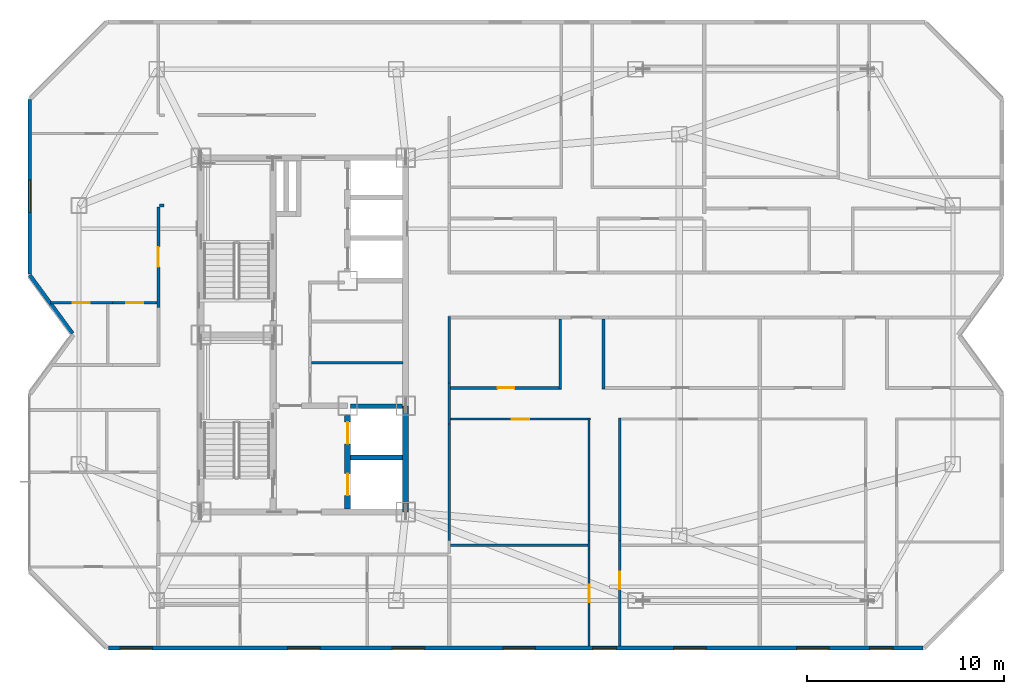
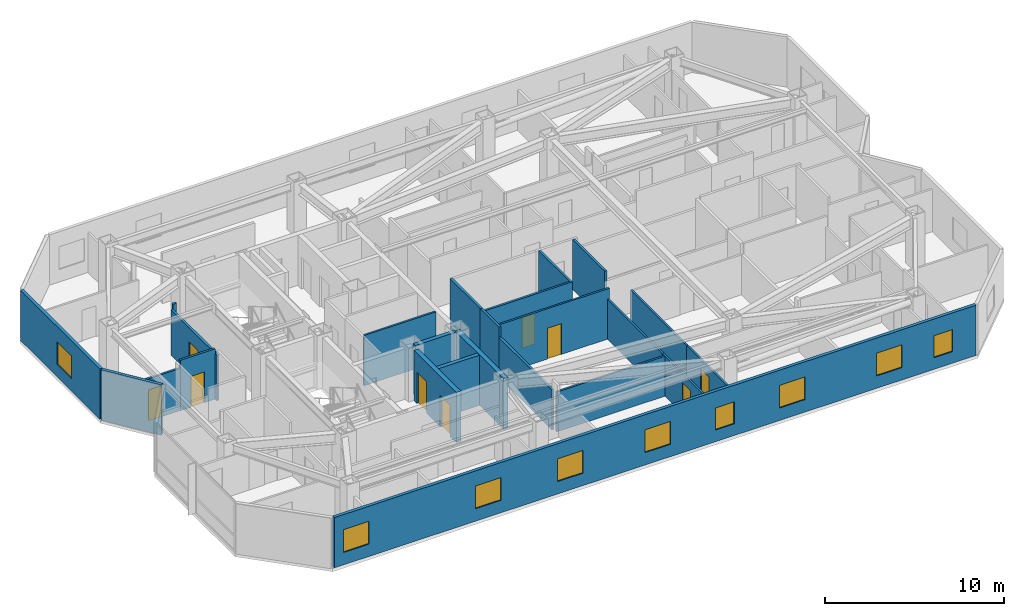
# One storey, part 9 of 14: 24 walls, 9 doors, 9 windows, 18 openings.
"""IFC4 building model written with IfcOpenShell, lengths in metres."""

from ifc_helpers import new_model, si_unit, direction, frame, frame_2d, origin, place, context, subcontext, project, spatial, rectangle, extrude, material, layer, layer_set, type_object, element, fill, save


model = new_model("IFC4")

# Units and contexts
model_context = context("Model", 3, precision=1e-05, world=origin(), true_north=direction((0.0, 1.0)))
body_context = subcontext(model_context, "Body", "Model", "MODEL_VIEW")
ifc_project = project(units=[si_unit("LENGTHUNIT", "METRE"), si_unit("AREAUNIT", "SQUARE_METRE"), si_unit("VOLUMEUNIT", "CUBIC_METRE"), si_unit("PLANEANGLEUNIT", "RADIAN"), si_unit("MASSUNIT", "GRAM", prefix="KILO")], contexts=[model_context])

# Site, building, storey
site_placement = place(None, origin())
site = spatial("IfcSite", under=ifc_project, at=site_placement, CompositionType="ELEMENT")
building_placement = place(site_placement, origin())
building = spatial("IfcBuilding", under=site, at=building_placement, Name="Khamvora Tower", CompositionType="ELEMENT")
storey_placement = place(building_placement, frame((0.0, 0.0, 242.75)))
storey = spatial("IfcBuildingStorey", under=building, at=storey_placement, Name="L62", CompositionType="ELEMENT", Elevation=242.75)

# Wall
ifc_material_1 = material(Name="Concrete C50/60", Category="concrete")
ifc_layer_1 = layer(ifc_material_1, 0.300048828125)
ifc_layer_set_1 = layer_set([ifc_layer_1], Name="Concrete C50/60")
wall_type_1 = type_object("IfcWallType", Name="WAL-CORE-300", PredefinedType="SHEAR", material=ifc_layer_set_1)
wall_1_placement = place(storey_placement, frame((39.39990234375, 19.0, 0.0), z_axis=(0.0, 0.0, 1.0), x_axis=(0.0, 1.0, 0.0)))
element("IfcWall", 1, at=wall_1_placement, inside=storey, type_object=wall_type_1, Name="L62 central core east south wall", PredefinedType="SHEAR", context=body_context, shape_type="SweptSolid", body=[
    extrude(rectangle(XDim=5.39990234375, YDim=0.300048828125, at=frame_2d((2.699951171875, 0.0))), origin(), (0.0, 0.0, 1.0), 3.429931640625),
])

# Wall, openings, doors
wall_2_placement = place(storey_placement, frame((36.449951171875, 19.154052734375, 0.0), z_axis=(0.0, 0.0, 1.0), x_axis=(0.0, 1.0, 0.0)))
wall_2 = element("IfcWall", 2, at=wall_2_placement, inside=storey, type_object=wall_type_1, Name="L62 central core lift bank south wall", PredefinedType="SHEAR", context=body_context, shape_type="SweptSolid", body=[
    extrude(rectangle(XDim=4.745849609375, YDim=0.300048828125, at=frame_2d((2.373046875, 0.0))), origin(), (0.0, 0.0, 1.0), 3.429931640625),
])
opening_1_placement = place(wall_2_placement, frame((0.696044921875, 0.0, 0.0)))
opening_1 = element("IfcOpeningElement", 3, at=opening_1_placement, cuts=wall_2, Name="Opening LD-FFL", PredefinedType="OPENING", context=body_context, shape_type="SweptSolid", body=[
    extrude(rectangle(XDim=1.10009765625, YDim=2.14990234375, at=frame_2d((0.550048828125, 1.074951171875))), frame((0.0, 0.159912109375, 0.0), z_axis=(0.0, -1.0, 0.0), x_axis=(1.0, 0.0, 0.0)), (0.0, 0.0, 1.0), 0.320068359375),
])
opening_2_placement = place(wall_2_placement, frame((3.31591796875, 0.0, 0.0)))
opening_2 = element("IfcOpeningElement", 4, at=opening_2_placement, cuts=wall_2, Name="Opening LD-FFL", PredefinedType="OPENING", context=body_context, shape_type="SweptSolid", body=[
    extrude(rectangle(XDim=1.10009765625, YDim=2.14990234375, at=frame_2d((0.550048828125, 1.074951171875))), frame((0.0, 0.159912109375, 0.0), z_axis=(0.0, -1.0, 0.0), x_axis=(1.0, 0.0, 0.0)), (0.0, 0.0, 1.0), 0.320068359375),
])
ifc_material_2 = material(Name="Powder-Coated Steel and Hardwood Leaf", Category="steel")
door_type_1 = type_object("IfcDoorType", Name="DOR-LIFT-1100", OperationType="SLIDING_TO_LEFT", PredefinedType="DOOR", material=ifc_material_2)
door_1_placement = place(opening_1_placement, origin())
door_1 = element("IfcDoor", 5, at=door_1_placement, inside=storey, type_object=door_type_1, Name="L62 lift landing sliding door FFL-01", OperationType="SLIDING_TO_LEFT", OverallHeight=2.14990234375, OverallWidth=1.10009765625, PredefinedType="DOOR", context=body_context, shape_type="SweptSolid", body=[
    extrude(rectangle(XDim=1.10009765625, YDim=2.14990234375, at=frame_2d((0.550048828125, 1.074951171875))), frame((0.0, 0.02490234375, 0.0), z_axis=(0.0, -1.0, 0.0), x_axis=(1.0, 0.0, 0.0)), (0.0, 0.0, 1.0), 0.050048828125),
])
fill(opening_1, door_1)
door_2_placement = place(opening_2_placement, origin())
door_2 = element("IfcDoor", 6, at=door_2_placement, inside=storey, type_object=door_type_1, Name="L62 lift landing sliding door FFL-02", OperationType="SLIDING_TO_LEFT", OverallHeight=2.14990234375, OverallWidth=1.10009765625, PredefinedType="DOOR", context=body_context, shape_type="SweptSolid", body=[
    extrude(rectangle(XDim=1.10009765625, YDim=2.14990234375, at=frame_2d((0.550048828125, 1.074951171875))), frame((0.0, 0.02490234375, 0.0), z_axis=(0.0, -1.0, 0.0), x_axis=(1.0, 0.0, 0.0)), (0.0, 0.0, 1.0), 0.050048828125),
])
fill(opening_2, door_2)

# Wall, opening, door
ifc_material_3 = material(Name="Fire-Rated Drywall and Steel Stud", Category="steel")
ifc_layer_2 = layer(ifc_material_3, 0.14990234375)
ifc_layer_set_2 = layer_set([ifc_layer_2], Name="Fire-Rated Drywall and Steel Stud")
wall_type_2 = type_object("IfcWallType", Name="WAL-CORR-150", PredefinedType="STANDARD", material=ifc_layer_set_2)
wall_3_placement = place(storey_placement, frame((26.8349609375, 29.381103515625, 0.0), z_axis=(0.0, 0.0, 1.0), x_axis=(0.0, 1.0, 0.0)))
wall_3 = element("IfcWall", 7, at=wall_3_placement, inside=storey, type_object=wall_type_2, Name="L62 interior partition wall 012", PredefinedType="STANDARD", context=body_context, shape_type="SweptSolid", body=[
    extrude(rectangle(XDim=5.118896484375, YDim=0.14990234375, at=frame_2d((2.5595703125, 0.0))), origin(), (0.0, 0.0, 1.0), 3.10693359375),
])
opening_3_placement = place(wall_3_placement, frame((2.080078125, 0.0, 0.0)))
opening_3 = element("IfcOpeningElement", 8, at=opening_3_placement, cuts=wall_3, Name="Opening D-U1", PredefinedType="OPENING", context=body_context, shape_type="SweptSolid", body=[
    extrude(rectangle(XDim=1.0, YDim=2.14990234375, at=frame_2d((0.5, 1.074951171875))), frame((0.0, 0.0849609375, 0.0), z_axis=(0.0, -1.0, 0.0), x_axis=(1.0, 0.0, 0.0)), (0.0, 0.0, 1.0), 0.169921875),
])
door_type_2 = type_object("IfcDoorType", Name="DOR-UNIT-1000", OperationType="NOTDEFINED", PredefinedType="DOOR", material=ifc_material_2)
door_3_placement = place(opening_3_placement, origin())
door_3 = element("IfcDoor", 9, at=door_3_placement, inside=storey, type_object=door_type_2, Name="L62 interior door COR-62WBH", OperationType="SINGLE_SWING_RIGHT", OverallHeight=2.14990234375, OverallWidth=1.0, PredefinedType="DOOR", context=body_context, shape_type="SweptSolid", body=[
    extrude(rectangle(XDim=1.0, YDim=2.14990234375, at=frame_2d((0.5, 1.074951171875))), frame((0.0, 0.02490234375, 0.0), z_axis=(0.0, -1.0, 0.0), x_axis=(1.0, 0.0, 0.0)), (0.0, 0.0, 1.0), 0.050048828125),
])
fill(opening_3, door_3)

# Walls
wall_4_placement = place(storey_placement, frame((26.89990234375, 34.56494140625, 0.0), z_axis=(0.0, 0.0, 1.0), x_axis=(1.0, 0.0, 0.0)))
element("IfcWall", 10, at=wall_4_placement, inside=storey, type_object=wall_type_2, Name="L62 interior partition wall 013", PredefinedType="STANDARD", context=body_context, shape_type="SweptSolid", body=[
    extrude(rectangle(XDim=0.22412109375, YDim=0.14990234375, at=frame_2d((0.112060546875, 0.0))), origin(), (0.0, 0.0, 1.0), 3.429931640625),
])
wall_5_placement = place(storey_placement, frame((41.614990234375, 25.553955078125, 0.0), z_axis=(0.0, 0.0, 1.0), x_axis=(0.0, -1.0, 0.0)))
element("IfcWall", 11, at=wall_5_placement, inside=storey, type_object=wall_type_2, Name="L62 interior partition wall 021", PredefinedType="STANDARD", context=body_context, shape_type="SweptSolid", body=[
    extrude(rectangle(XDim=2.077880859375, YDim=0.14990234375, at=frame_2d((1.0390625, 0.0))), origin(), (0.0, 0.0, 1.0), 3.429931640625),
])
wall_6_placement = place(storey_placement, frame((41.614990234375, 28.947998046875, 0.0), z_axis=(0.0, 0.0, 1.0), x_axis=(0.0, -1.0, 0.0)))
element("IfcWall", 12, at=wall_6_placement, inside=storey, type_object=wall_type_2, Name="L62 interior partition wall 023", PredefinedType="STANDARD", context=body_context, shape_type="SweptSolid", body=[
    extrude(rectangle(XDim=3.39404296875, YDim=0.14990234375, at=frame_2d((1.697021484375, 0.0))), origin(), (0.0, 0.0, 1.0), 3.429931640625),
])
wall_7_placement = place(storey_placement, frame((41.614990234375, 23.47607421875, 0.0), z_axis=(0.0, 0.0, 1.0), x_axis=(0.0, -1.0, 0.0)))
element("IfcWall", 13, at=wall_7_placement, inside=storey, type_object=wall_type_2, Name="L62 interior partition wall 026", PredefinedType="STANDARD", context=body_context, shape_type="SweptSolid", body=[
    extrude(rectangle(XDim=5.9140625, YDim=0.14990234375, at=frame_2d((2.95703125, 0.0))), origin(), (0.0, 0.0, 1.0), 2.72509765625),
])
ifc_material_4 = material(Name="Precast concrete C40/50", Category="concrete")
ifc_layer_3 = layer(ifc_material_4, 0.199951171875)
ifc_layer_set_3 = layer_set([ifc_layer_3], Name="Precast concrete C40/50")
wall_type_3 = type_object("IfcWallType", Name="WAL-EXT-200", PredefinedType="STANDARD", material=ifc_layer_set_3)
wall_8_placement = place(storey_placement, frame((22.472900390625, 28.069091796875, 0.0), z_axis=(0.0, 0.0, 1.0), x_axis=(-0.591248456881, 0.80648946815, 0.0)))
element("IfcWall", 14, at=wall_8_placement, inside=storey, type_object=wall_type_3, Name="L62 exterior facade wall 04.1", PredefinedType="STANDARD", context=body_context, shape_type="SweptSolid", body=[
    extrude(rectangle(XDim=3.675048828125, YDim=0.199951171875, at=frame_2d((1.83740234375, 0.0))), origin(), (0.0, 0.0, 1.0), 3.429931640625),
])

# Wall, opening, window
wall_9_placement = place(storey_placement, frame((20.300048828125, 31.083984375, 0.0), z_axis=(0.0, 0.0, 1.0), x_axis=(0.0, 1.0, 0.0)))
wall_9 = element("IfcWall", 15, at=wall_9_placement, inside=storey, type_object=wall_type_3, Name="L62 exterior facade wall 05.1", PredefinedType="STANDARD", context=body_context, shape_type="SweptSolid", body=[
    extrude(rectangle(XDim=8.875, YDim=0.199951171875, at=frame_2d((4.4375, 0.0))), origin(), (0.0, 0.0, 1.0), 3.429931640625),
])
opening_4_placement = place(wall_9_placement, frame((3.139892578125, 0.0, 0.85009765625)))
opening_4 = element("IfcOpeningElement", 16, at=opening_4_placement, cuts=wall_9, Name="Opening WN-06", PredefinedType="OPENING", context=body_context, shape_type="SweptSolid", body=[
    extrude(rectangle(XDim=1.64990234375, YDim=1.550048828125, at=frame_2d((0.824951171875, 0.77490234375))), frame((0.0, 0.10986328125, 0.0), z_axis=(0.0, -1.0, 0.0), x_axis=(1.0, 0.0, 0.0)), (0.0, 0.0, 1.0), 0.219970703125),
])
ifc_material_5 = material(Name="Low-E Laminated Double Glazing", Category="glass")
window_type_1 = type_object("IfcWindowType", Name="WIN-VIS-1650x1550", PartitioningType="SINGLE_PANEL", PredefinedType="WINDOW", material=ifc_material_5)
window_1_placement = place(opening_4_placement, origin())
window_1 = element("IfcWindow", 17, at=window_1_placement, inside=storey, type_object=window_type_1, Name="L62 vision window 05.1.01", OverallHeight=1.550048828125, OverallWidth=1.64990234375, PartitioningType="SINGLE_PANEL", PredefinedType="WINDOW", context=body_context, shape_type="SweptSolid", body=[
    extrude(rectangle(XDim=1.64990234375, YDim=1.550048828125, at=frame_2d((0.824951171875, 0.77490234375))), frame((0.0, 0.030029296875, 0.0), z_axis=(0.0, -1.0, 0.0), x_axis=(1.0, 0.0, 0.0)), (0.0, 0.0, 1.0), 0.06005859375),
])
fill(opening_4, window_1)

# Wall, openings, windows
wall_10_placement = place(storey_placement, frame((65.696044921875, 12.10009765625, 0.0), z_axis=(0.0, 0.0, 1.0), x_axis=(-1.0, 0.0, 0.0)))
wall_10 = element("IfcWall", 18, at=wall_10_placement, inside=storey, type_object=wall_type_3, Name="L62 exterior facade wall 14.1", PredefinedType="STANDARD", context=body_context, shape_type="SweptSolid", body=[
    extrude(rectangle(XDim=41.39306640625, YDim=0.199951171875, at=frame_2d((20.696533203125, 0.0))), origin(), (0.0, 0.0, 1.0), 3.429931640625),
])
opening_5_placement = place(wall_10_placement, frame((39.159912109375, 0.0, 0.85009765625)))
opening_5 = element("IfcOpeningElement", 19, at=opening_5_placement, cuts=wall_10, Name="Opening WN-06", PredefinedType="OPENING", context=body_context, shape_type="SweptSolid", body=[
    extrude(rectangle(XDim=1.64990234375, YDim=1.550048828125, at=frame_2d((0.824951171875, 0.77490234375))), frame((0.0, 0.10986328125, 0.0), z_axis=(0.0, -1.0, 0.0), x_axis=(1.0, 0.0, 0.0)), (0.0, 0.0, 1.0), 0.219970703125),
])
opening_6_placement = place(wall_10_placement, frame((30.64599609375, 0.0, 0.85009765625)))
opening_6 = element("IfcOpeningElement", 20, at=opening_6_placement, cuts=wall_10, Name="Opening WN-06", PredefinedType="OPENING", context=body_context, shape_type="SweptSolid", body=[
    extrude(rectangle(XDim=1.64990234375, YDim=1.550048828125, at=frame_2d((0.824951171875, 0.77490234375))), frame((0.0, 0.10986328125, 0.0), z_axis=(0.0, -1.0, 0.0), x_axis=(1.0, 0.0, 0.0)), (0.0, 0.0, 1.0), 0.219970703125),
])
opening_7_placement = place(wall_10_placement, frame((25.339111328125, 0.0, 0.85009765625)))
opening_7 = element("IfcOpeningElement", 21, at=opening_7_placement, cuts=wall_10, Name="Opening WN-06", PredefinedType="OPENING", context=body_context, shape_type="SweptSolid", body=[
    extrude(rectangle(XDim=1.64990234375, YDim=1.550048828125, at=frame_2d((0.824951171875, 0.77490234375))), frame((0.0, 0.10986328125, 0.0), z_axis=(0.0, -1.0, 0.0), x_axis=(1.0, 0.0, 0.0)), (0.0, 0.0, 1.0), 0.219970703125),
])
opening_8_placement = place(wall_10_placement, frame((15.595947265625, 0.0, 0.800048828125)))
opening_8 = element("IfcOpeningElement", 22, at=opening_8_placement, cuts=wall_10, Name="Opening WN-03", PredefinedType="OPENING", context=body_context, shape_type="SweptSolid", body=[
    extrude(rectangle(XDim=1.199951171875, YDim=1.5, at=frame_2d((0.60009765625, 0.75))), frame((0.0, 0.10986328125, 0.0), z_axis=(0.0, -1.0, 0.0), x_axis=(1.0, 0.0, 0.0)), (0.0, 0.0, 1.0), 0.219970703125),
])
opening_9_placement = place(wall_10_placement, frame((19.7060546875, 0.0, 0.85009765625)))
opening_9 = element("IfcOpeningElement", 23, at=opening_9_placement, cuts=wall_10, Name="Opening WN-06", PredefinedType="OPENING", context=body_context, shape_type="SweptSolid", body=[
    extrude(rectangle(XDim=1.64990234375, YDim=1.550048828125, at=frame_2d((0.824951171875, 0.77490234375))), frame((0.0, 0.10986328125, 0.0), z_axis=(0.0, -1.0, 0.0), x_axis=(1.0, 0.0, 0.0)), (0.0, 0.0, 1.0), 0.219970703125),
])
opening_10_placement = place(wall_10_placement, frame((11.035888671875, 0.0, 0.85009765625)))
opening_10 = element("IfcOpeningElement", 24, at=opening_10_placement, cuts=wall_10, Name="Opening WN-06", PredefinedType="OPENING", context=body_context, shape_type="SweptSolid", body=[
    extrude(rectangle(XDim=1.64990234375, YDim=1.550048828125, at=frame_2d((0.824951171875, 0.77490234375))), frame((0.0, 0.10986328125, 0.0), z_axis=(0.0, -1.0, 0.0), x_axis=(1.0, 0.0, 0.0)), (0.0, 0.0, 1.0), 0.219970703125),
])
opening_11_placement = place(wall_10_placement, frame((1.52587890625, 0.0, 0.800048828125)))
opening_11 = element("IfcOpeningElement", 25, at=opening_11_placement, cuts=wall_10, Name="Opening WN-03", PredefinedType="OPENING", context=body_context, shape_type="SweptSolid", body=[
    extrude(rectangle(XDim=1.199951171875, YDim=1.5, at=frame_2d((0.60009765625, 0.75))), frame((0.0, 0.10986328125, 0.0), z_axis=(0.0, -1.0, 0.0), x_axis=(1.0, 0.0, 0.0)), (0.0, 0.0, 1.0), 0.219970703125),
])
opening_12_placement = place(wall_10_placement, frame((4.785888671875, 0.0, 0.85009765625)))
opening_12 = element("IfcOpeningElement", 26, at=opening_12_placement, cuts=wall_10, Name="Opening WN-06", PredefinedType="OPENING", context=body_context, shape_type="SweptSolid", body=[
    extrude(rectangle(XDim=1.64990234375, YDim=1.550048828125, at=frame_2d((0.824951171875, 0.77490234375))), frame((0.0, 0.10986328125, 0.0), z_axis=(0.0, -1.0, 0.0), x_axis=(1.0, 0.0, 0.0)), (0.0, 0.0, 1.0), 0.219970703125),
])
window_type_2 = type_object("IfcWindowType", Name="WIN-VIS-1200x1500", PartitioningType="SINGLE_PANEL", PredefinedType="WINDOW", material=ifc_material_5)
window_2_placement = place(opening_8_placement, origin())
window_2 = element("IfcWindow", 27, at=window_2_placement, inside=storey, type_object=window_type_2, Name="L62 vision window 14.1.04", OverallHeight=1.5, OverallWidth=1.199951171875, PartitioningType="SINGLE_PANEL", PredefinedType="WINDOW", context=body_context, shape_type="SweptSolid", body=[
    extrude(rectangle(XDim=1.199951171875, YDim=1.5, at=frame_2d((0.60009765625, 0.75))), frame((0.0, 0.030029296875, 0.0), z_axis=(0.0, -1.0, 0.0), x_axis=(1.0, 0.0, 0.0)), (0.0, 0.0, 1.0), 0.06005859375),
])
fill(opening_8, window_2)
window_3_placement = place(opening_11_placement, origin())
window_3 = element("IfcWindow", 28, at=window_3_placement, inside=storey, type_object=window_type_2, Name="L62 vision window 14.1.07", OverallHeight=1.5, OverallWidth=1.199951171875, PartitioningType="SINGLE_PANEL", PredefinedType="WINDOW", context=body_context, shape_type="SweptSolid", body=[
    extrude(rectangle(XDim=1.199951171875, YDim=1.5, at=frame_2d((0.60009765625, 0.75))), frame((0.0, 0.030029296875, 0.0), z_axis=(0.0, -1.0, 0.0), x_axis=(1.0, 0.0, 0.0)), (0.0, 0.0, 1.0), 0.06005859375),
])
fill(opening_11, window_3)
window_4_placement = place(opening_5_placement, origin())
window_4 = element("IfcWindow", 29, at=window_4_placement, inside=storey, type_object=window_type_1, Name="L62 vision window 14.1.01", OverallHeight=1.550048828125, OverallWidth=1.64990234375, PartitioningType="SINGLE_PANEL", PredefinedType="WINDOW", context=body_context, shape_type="SweptSolid", body=[
    extrude(rectangle(XDim=1.64990234375, YDim=1.550048828125, at=frame_2d((0.824951171875, 0.77490234375))), frame((0.0, 0.030029296875, 0.0), z_axis=(0.0, -1.0, 0.0), x_axis=(1.0, 0.0, 0.0)), (0.0, 0.0, 1.0), 0.06005859375),
])
fill(opening_5, window_4)
window_5_placement = place(opening_6_placement, origin())
window_5 = element("IfcWindow", 30, at=window_5_placement, inside=storey, type_object=window_type_1, Name="L62 vision window 14.1.02", OverallHeight=1.550048828125, OverallWidth=1.64990234375, PartitioningType="SINGLE_PANEL", PredefinedType="WINDOW", context=body_context, shape_type="SweptSolid", body=[
    extrude(rectangle(XDim=1.64990234375, YDim=1.550048828125, at=frame_2d((0.824951171875, 0.77490234375))), frame((0.0, 0.030029296875, 0.0), z_axis=(0.0, -1.0, 0.0), x_axis=(1.0, 0.0, 0.0)), (0.0, 0.0, 1.0), 0.06005859375),
])
fill(opening_6, window_5)
window_6_placement = place(opening_7_placement, origin())
window_6 = element("IfcWindow", 31, at=window_6_placement, inside=storey, type_object=window_type_1, Name="L62 vision window 14.1.03", OverallHeight=1.550048828125, OverallWidth=1.64990234375, PartitioningType="SINGLE_PANEL", PredefinedType="WINDOW", context=body_context, shape_type="SweptSolid", body=[
    extrude(rectangle(XDim=1.64990234375, YDim=1.550048828125, at=frame_2d((0.824951171875, 0.77490234375))), frame((0.0, 0.030029296875, 0.0), z_axis=(0.0, -1.0, 0.0), x_axis=(1.0, 0.0, 0.0)), (0.0, 0.0, 1.0), 0.06005859375),
])
fill(opening_7, window_6)
window_7_placement = place(opening_9_placement, origin())
window_7 = element("IfcWindow", 32, at=window_7_placement, inside=storey, type_object=window_type_1, Name="L62 vision window 14.1.05", OverallHeight=1.550048828125, OverallWidth=1.64990234375, PartitioningType="SINGLE_PANEL", PredefinedType="WINDOW", context=body_context, shape_type="SweptSolid", body=[
    extrude(rectangle(XDim=1.64990234375, YDim=1.550048828125, at=frame_2d((0.824951171875, 0.77490234375))), frame((0.0, 0.030029296875, 0.0), z_axis=(0.0, -1.0, 0.0), x_axis=(1.0, 0.0, 0.0)), (0.0, 0.0, 1.0), 0.06005859375),
])
fill(opening_9, window_7)
window_8_placement = place(opening_10_placement, origin())
window_8 = element("IfcWindow", 33, at=window_8_placement, inside=storey, type_object=window_type_1, Name="L62 vision window 14.1.06", OverallHeight=1.550048828125, OverallWidth=1.64990234375, PartitioningType="SINGLE_PANEL", PredefinedType="WINDOW", context=body_context, shape_type="SweptSolid", body=[
    extrude(rectangle(XDim=1.64990234375, YDim=1.550048828125, at=frame_2d((0.824951171875, 0.77490234375))), frame((0.0, 0.030029296875, 0.0), z_axis=(0.0, -1.0, 0.0), x_axis=(1.0, 0.0, 0.0)), (0.0, 0.0, 1.0), 0.06005859375),
])
fill(opening_10, window_8)
window_9_placement = place(opening_12_placement, origin())
window_9 = element("IfcWindow", 34, at=window_9_placement, inside=storey, type_object=window_type_1, Name="L62 vision window 14.1.08", OverallHeight=1.550048828125, OverallWidth=1.64990234375, PartitioningType="SINGLE_PANEL", PredefinedType="WINDOW", context=body_context, shape_type="SweptSolid", body=[
    extrude(rectangle(XDim=1.64990234375, YDim=1.550048828125, at=frame_2d((0.824951171875, 0.77490234375))), frame((0.0, 0.030029296875, 0.0), z_axis=(0.0, -1.0, 0.0), x_axis=(1.0, 0.0, 0.0)), (0.0, 0.0, 1.0), 0.06005859375),
])
fill(opening_12, window_9)

# Wall
ifc_material_6 = material(Name="Gypsum Plasterboard Partition", Category="gypsum")
ifc_layer_4 = layer(ifc_material_6, 0.1201171875)
ifc_layer_set_4 = layer_set([ifc_layer_4], Name="Gypsum Plasterboard Partition")
wall_type_4 = type_object("IfcWallType", Name="WAL-PART-120", PredefinedType="PARTITIONING", material=ifc_layer_set_4)
wall_11_placement = place(storey_placement, frame((39.256103515625, 26.5849609375, 0.0), z_axis=(0.0, 0.0, 1.0), x_axis=(-1.0, 0.0, 0.0)))
element("IfcWall", 35, at=wall_11_placement, inside=storey, type_object=wall_type_4, Name="L62 interior partition wall 006", PredefinedType="PARTITIONING", context=body_context, shape_type="SweptSolid", body=[
    extrude(rectangle(XDim=4.64404296875, YDim=0.1201171875, at=frame_2d((2.322021484375, 0.0))), origin(), (0.0, 0.0, 1.0), 3.429931640625),
])

# Wall, opening, door
wall_12_placement = place(storey_placement, frame((48.715087890625, 12.19189453125, 0.0), z_axis=(0.0, 0.0, 1.0), x_axis=(0.0, 1.0, 0.0)))
wall_12 = element("IfcWall", 36, at=wall_12_placement, inside=storey, type_object=wall_type_4, Name="L62 interior partition wall 061", PredefinedType="PARTITIONING", context=body_context, shape_type="SweptSolid", body=[
    extrude(rectangle(XDim=5.3701171875, YDim=0.1201171875, at=frame_2d((2.68505859375, 0.0))), origin(), (0.0, 0.0, 1.0), 2.72509765625),
])
opening_13_placement = place(wall_12_placement, frame((2.214111328125, 0.0, 0.0)))
opening_13 = element("IfcOpeningElement", 37, at=opening_13_placement, cuts=wall_12, Name="Opening D-RM1", PredefinedType="OPENING", context=body_context, shape_type="SweptSolid", body=[
    extrude(rectangle(XDim=0.89990234375, YDim=2.10009765625, at=frame_2d((0.449951171875, 1.050048828125))), frame((0.0, 0.070068359375, 0.0), z_axis=(0.0, -1.0, 0.0), x_axis=(1.0, 0.0, 0.0)), (0.0, 0.0, 1.0), 0.14013671875),
])
door_type_3 = type_object("IfcDoorType", Name="DOR-ROOM-900", OperationType="NOTDEFINED", PredefinedType="DOOR", material=ifc_material_2)
door_4_placement = place(opening_13_placement, origin())
door_4 = element("IfcDoor", 38, at=door_4_placement, inside=storey, type_object=door_type_3, Name="L62 interior door 62EAH-62EAR1", OperationType="SINGLE_SWING_LEFT", OverallHeight=2.10009765625, OverallWidth=0.89990234375, PredefinedType="DOOR", context=body_context, shape_type="SweptSolid", body=[
    extrude(rectangle(XDim=0.89990234375, YDim=2.10009765625, at=frame_2d((0.449951171875, 1.050048828125))), frame((0.0, 0.02490234375, 0.0), z_axis=(0.0, -1.0, 0.0), x_axis=(1.0, 0.0, 0.0)), (0.0, 0.0, 1.0), 0.050048828125),
])
fill(opening_13, door_4)

# Wall
wall_13_placement = place(storey_placement, frame((48.715087890625, 17.56201171875, 0.0), z_axis=(0.0, 0.0, 1.0), x_axis=(0.0, 1.0, 0.0)))
element("IfcWall", 39, at=wall_13_placement, inside=storey, type_object=wall_type_4, Name="L62 interior partition wall 062", PredefinedType="PARTITIONING", context=body_context, shape_type="SweptSolid", body=[
    extrude(rectangle(XDim=6.22802734375, YDim=0.1201171875, at=frame_2d((3.114013671875, 0.0))), origin(), (0.0, 0.0, 1.0), 2.72509765625),
])

# Wall, opening, door
wall_14_placement = place(storey_placement, frame((48.780029296875, 23.72509765625, 0.0), z_axis=(0.0, 0.0, 1.0), x_axis=(-1.0, 0.0, 0.0)))
wall_14 = element("IfcWall", 40, at=wall_14_placement, inside=storey, type_object=wall_type_4, Name="L62 interior partition wall 063", PredefinedType="PARTITIONING", context=body_context, shape_type="SweptSolid", body=[
    extrude(rectangle(XDim=7.09814453125, YDim=0.1201171875, at=frame_2d((3.549072265625, 0.0))), origin(), (0.0, 0.0, 1.0), 3.429931640625),
])
opening_14_placement = place(wall_14_placement, frame((3.09912109375, 0.0, 0.0)))
opening_14 = element("IfcOpeningElement", 41, at=opening_14_placement, cuts=wall_14, Name="Opening D-RM1", PredefinedType="OPENING", context=body_context, shape_type="SweptSolid", body=[
    extrude(rectangle(XDim=0.89990234375, YDim=2.10009765625, at=frame_2d((0.449951171875, 1.050048828125))), frame((0.0, 0.070068359375, 0.0), z_axis=(0.0, -1.0, 0.0), x_axis=(1.0, 0.0, 0.0)), (0.0, 0.0, 1.0), 0.14013671875),
])
door_5_placement = place(opening_14_placement, origin())
door_5 = element("IfcDoor", 42, at=door_5_placement, inside=storey, type_object=door_type_3, Name="L62 interior door 62EAH-62EAR2", OperationType="SINGLE_SWING_RIGHT", OverallHeight=2.10009765625, OverallWidth=0.89990234375, PredefinedType="DOOR", context=body_context, shape_type="SweptSolid", body=[
    extrude(rectangle(XDim=0.89990234375, YDim=2.10009765625, at=frame_2d((0.449951171875, 1.050048828125))), frame((0.0, 0.02490234375, 0.0), z_axis=(0.0, -1.0, 0.0), x_axis=(1.0, 0.0, 0.0)), (0.0, 0.0, 1.0), 0.050048828125),
])
fill(opening_14, door_5)

wall_15_placement = place(storey_placement, frame((50.284912109375, 17.56201171875, 0.0), z_axis=(0.0, 0.0, 1.0), x_axis=(0.0, -1.0, 0.0)))
wall_15 = element("IfcWall", 43, at=wall_15_placement, inside=storey, type_object=wall_type_4, Name="L62 interior partition wall 064", PredefinedType="PARTITIONING", context=body_context, shape_type="SweptSolid", body=[
    extrude(rectangle(XDim=5.3701171875, YDim=0.1201171875, at=frame_2d((2.68505859375, 0.0))), origin(), (0.0, 0.0, 1.0), 2.72509765625),
])
opening_15_placement = place(wall_15_placement, frame((1.594970703125, 0.0, 0.0)))
opening_15 = element("IfcOpeningElement", 44, at=opening_15_placement, cuts=wall_15, Name="Opening D-RM1", PredefinedType="OPENING", context=body_context, shape_type="SweptSolid", body=[
    extrude(rectangle(XDim=0.89990234375, YDim=2.10009765625, at=frame_2d((0.449951171875, 1.050048828125))), frame((0.0, 0.070068359375, 0.0), z_axis=(0.0, -1.0, 0.0), x_axis=(1.0, 0.0, 0.0)), (0.0, 0.0, 1.0), 0.14013671875),
])
door_6_placement = place(opening_15_placement, origin())
door_6 = element("IfcDoor", 45, at=door_6_placement, inside=storey, type_object=door_type_3, Name="L62 interior door 62EAH-62EAR3", OperationType="SINGLE_SWING_LEFT", OverallHeight=2.10009765625, OverallWidth=0.89990234375, PredefinedType="DOOR", context=body_context, shape_type="SweptSolid", body=[
    extrude(rectangle(XDim=0.89990234375, YDim=2.10009765625, at=frame_2d((0.449951171875, 1.050048828125))), frame((0.0, 0.02490234375, 0.0), z_axis=(0.0, -1.0, 0.0), x_axis=(1.0, 0.0, 0.0)), (0.0, 0.0, 1.0), 0.050048828125),
])
fill(opening_15, door_6)

# Walls
wall_16_placement = place(storey_placement, frame((50.284912109375, 23.7900390625, 0.0), z_axis=(0.0, 0.0, 1.0), x_axis=(0.0, -1.0, 0.0)))
element("IfcWall", 46, at=wall_16_placement, inside=storey, type_object=wall_type_4, Name="L62 interior partition wall 066", PredefinedType="PARTITIONING", context=body_context, shape_type="SweptSolid", body=[
    extrude(rectangle(XDim=6.22802734375, YDim=0.1201171875, at=frame_2d((3.114013671875, 0.0))), origin(), (0.0, 0.0, 1.0), 2.72509765625),
])
wall_17_placement = place(storey_placement, frame((41.681884765625, 17.31298828125, 0.0), z_axis=(0.0, 0.0, 1.0), x_axis=(1.0, 0.0, 0.0)))
element("IfcWall", 47, at=wall_17_placement, inside=storey, type_object=wall_type_4, Name="L62 interior partition wall 069", PredefinedType="PARTITIONING", context=body_context, shape_type="SweptSolid", body=[
    extrude(rectangle(XDim=6.97900390625, YDim=0.1201171875, at=frame_2d((3.489501953125, 0.0))), origin(), (0.0, 0.0, 1.0), 2.72509765625),
])
ifc_material_7 = material(Name="Concrete C40/50", Category="concrete")
ifc_layer_5 = layer(ifc_material_7, 0.25)
ifc_layer_set_5 = layer_set([ifc_layer_5], Name="Concrete C40/50")
wall_type_5 = type_object("IfcWallType", Name="WAL-PODS-250", PredefinedType="SHEAR", material=ifc_layer_set_5)
for number, where, z_axis, x_axis, name in (
    (48, (36.60400390625, 21.77490234375, 0.0), (0.0, 0.0, 1.0), (1.0, 0.0, 0.0), "L62 lift shaft divider wall FFL-01"),
    (49, (36.60400390625, 24.375, 0.0), (0.0, 0.0, 1.0), (1.0, 0.0, 0.0), "L62 lift shaft divider wall FFL-02"),
):
    element("IfcWall", number, at=place(storey_placement, frame(where, z_axis=z_axis, x_axis=x_axis)), inside=storey, type_object=wall_type_5, Name=name, PredefinedType="SHEAR", context=body_context, shape_type="SweptSolid", body=[
        extrude(rectangle(XDim=2.64208984375, YDim=0.25, at=frame_2d((1.321044921875, 0.0))), origin(), (0.0, 0.0, 1.0), 3.429931640625),
    ])

# Wall, opening, door
ifc_material_8 = material(Name="Moisture-Resistant Plasterboard Partition", Category="gypsum")
ifc_layer_6 = layer(ifc_material_8, 0.135009765625)
ifc_layer_set_6 = layer_set([ifc_layer_6], Name="Moisture-Resistant Plasterboard Partition")
wall_type_6 = type_object("IfcWallType", Name="WAL-WET-135", PredefinedType="PARTITIONING", material=ifc_layer_set_6)
wall_18_placement = place(storey_placement, frame((24.509033203125, 29.6298828125, 0.0), z_axis=(0.0, 0.0, 1.0), x_axis=(-1.0, 0.0, 0.0)))
wall_18 = element("IfcWall", 50, at=wall_18_placement, inside=storey, type_object=wall_type_6, Name="L62 interior partition wall 048", PredefinedType="PARTITIONING", context=body_context, shape_type="SweptSolid", body=[
    extrude(rectangle(XDim=3.153076171875, YDim=0.135009765625, at=frame_2d((1.57666015625, 0.0))), origin(), (0.0, 0.0, 1.0), 2.886962890625),
])
opening_16_placement = place(wall_18_placement, frame((1.172119140625, 0.0, 0.0)))
opening_16 = element("IfcOpeningElement", 51, at=opening_16_placement, cuts=wall_18, Name="Opening D-WC1", PredefinedType="OPENING", context=body_context, shape_type="SweptSolid", body=[
    extrude(rectangle(XDim=0.85009765625, YDim=2.10009765625, at=frame_2d((0.425048828125, 1.050048828125))), frame((0.0, 0.077392578125, 0.0), z_axis=(0.0, -1.0, 0.0), x_axis=(1.0, 0.0, 0.0)), (0.0, 0.0, 1.0), 0.155029296875),
])
door_type_4 = type_object("IfcDoorType", Name="DOR-WET-850", OperationType="NOTDEFINED", PredefinedType="DOOR", material=ifc_material_2)
door_7_placement = place(opening_16_placement, origin())
door_7 = element("IfcDoor", 52, at=door_7_placement, inside=storey, type_object=door_type_4, Name="L62 interior door 62WBH-62WBB", OperationType="SINGLE_SWING_RIGHT", OverallHeight=2.10009765625, OverallWidth=0.85009765625, PredefinedType="DOOR", context=body_context, shape_type="SweptSolid", body=[
    extrude(rectangle(XDim=0.85009765625, YDim=2.10009765625, at=frame_2d((0.425048828125, 1.050048828125))), frame((0.0, 0.02490234375, 0.0), z_axis=(0.0, -1.0, 0.0), x_axis=(1.0, 0.0, 0.0)), (0.0, 0.0, 1.0), 0.050048828125),
])
fill(opening_16, door_7)

wall_19_placement = place(storey_placement, frame((26.77001953125, 29.6298828125, 0.0), z_axis=(0.0, 0.0, 1.0), x_axis=(-1.0, 0.0, 0.0)))
wall_19 = element("IfcWall", 53, at=wall_19_placement, inside=storey, type_object=wall_type_6, Name="L62 interior partition wall 049", PredefinedType="PARTITIONING", context=body_context, shape_type="SweptSolid", body=[
    extrude(rectangle(XDim=2.260986328125, YDim=0.135009765625, at=frame_2d((1.13037109375, 0.0))), origin(), (0.0, 0.0, 1.0), 3.429931640625),
])
opening_17_placement = place(wall_19_placement, frame((0.7060546875, 0.0, 0.0)))
opening_17 = element("IfcOpeningElement", 54, at=opening_17_placement, cuts=wall_19, Name="Opening D-RM2", PredefinedType="OPENING", context=body_context, shape_type="SweptSolid", body=[
    extrude(rectangle(XDim=0.85009765625, YDim=2.10009765625, at=frame_2d((0.425048828125, 1.050048828125))), frame((0.0, 0.077392578125, 0.0), z_axis=(0.0, -1.0, 0.0), x_axis=(1.0, 0.0, 0.0)), (0.0, 0.0, 1.0), 0.155029296875),
])
door_type_5 = type_object("IfcDoorType", Name="DOR-ROOM-850", OperationType="NOTDEFINED", PredefinedType="DOOR", material=ifc_material_2)
door_8_placement = place(opening_17_placement, origin())
door_8 = element("IfcDoor", 55, at=door_8_placement, inside=storey, type_object=door_type_5, Name="L62 interior door 62WBH-62WBK", OperationType="SINGLE_SWING_LEFT", OverallHeight=2.10009765625, OverallWidth=0.85009765625, PredefinedType="DOOR", context=body_context, shape_type="SweptSolid", body=[
    extrude(rectangle(XDim=0.85009765625, YDim=2.10009765625, at=frame_2d((0.425048828125, 1.050048828125))), frame((0.0, 0.02490234375, 0.0), z_axis=(0.0, -1.0, 0.0), x_axis=(1.0, 0.0, 0.0)), (0.0, 0.0, 1.0), 0.050048828125),
])
fill(opening_17, door_8)

wall_20_placement = place(storey_placement, frame((41.681884765625, 25.304931640625, 0.0), z_axis=(0.0, 0.0, 1.0), x_axis=(1.0, 0.0, 0.0)))
wall_20 = element("IfcWall", 56, at=wall_20_placement, inside=storey, type_object=wall_type_6, Name="L62 interior partition wall 057", PredefinedType="PARTITIONING", context=body_context, shape_type="SweptSolid", body=[
    extrude(rectangle(XDim=5.633056640625, YDim=0.135009765625, at=frame_2d((2.81640625, 0.0))), origin(), (0.0, 0.0, 1.0), 3.429931640625),
])
opening_18_placement = place(wall_20_placement, frame((2.39208984375, 0.0, 0.0)))
opening_18 = element("IfcOpeningElement", 57, at=opening_18_placement, cuts=wall_20, Name="Opening D-WC1", PredefinedType="OPENING", context=body_context, shape_type="SweptSolid", body=[
    extrude(rectangle(XDim=0.85009765625, YDim=2.10009765625, at=frame_2d((0.425048828125, 1.050048828125))), frame((0.0, 0.077392578125, 0.0), z_axis=(0.0, -1.0, 0.0), x_axis=(1.0, 0.0, 0.0)), (0.0, 0.0, 1.0), 0.155029296875),
])
door_9_placement = place(opening_18_placement, origin())
door_9 = element("IfcDoor", 58, at=door_9_placement, inside=storey, type_object=door_type_4, Name="L62 interior door 62EAH-62EAB", OperationType="SINGLE_SWING_LEFT", OverallHeight=2.10009765625, OverallWidth=0.85009765625, PredefinedType="DOOR", context=body_context, shape_type="SweptSolid", body=[
    extrude(rectangle(XDim=0.85009765625, YDim=2.10009765625, at=frame_2d((0.425048828125, 1.050048828125))), frame((0.0, 0.02490234375, 0.0), z_axis=(0.0, -1.0, 0.0), x_axis=(1.0, 0.0, 0.0)), (0.0, 0.0, 1.0), 0.050048828125),
])
fill(opening_18, door_9)

# Walls
for number, where, z_axis, x_axis, name in (
    (59, (47.25, 25.239990234375, 0.0), (0.0, 0.0, 1.0), (0.0, 1.0, 0.0), "L62 interior partition wall 058"),
    (60, (49.449951171875, 28.820068359375, 0.0), (0.0, 0.0, 1.0), (0.0, -1.0, 0.0), "L62 interior partition wall 059"),
):
    element("IfcWall", number, at=place(storey_placement, frame(where, z_axis=z_axis, x_axis=x_axis)), inside=storey, type_object=wall_type_6, Name=name, PredefinedType="PARTITIONING", context=body_context, shape_type="SweptSolid", body=[
        extrude(rectangle(XDim=3.580078125, YDim=0.135009765625, at=frame_2d((1.7900390625, 0.0))), origin(), (0.0, 0.0, 1.0), 3.429931640625),
    ])

save(model, "model.ifc")
